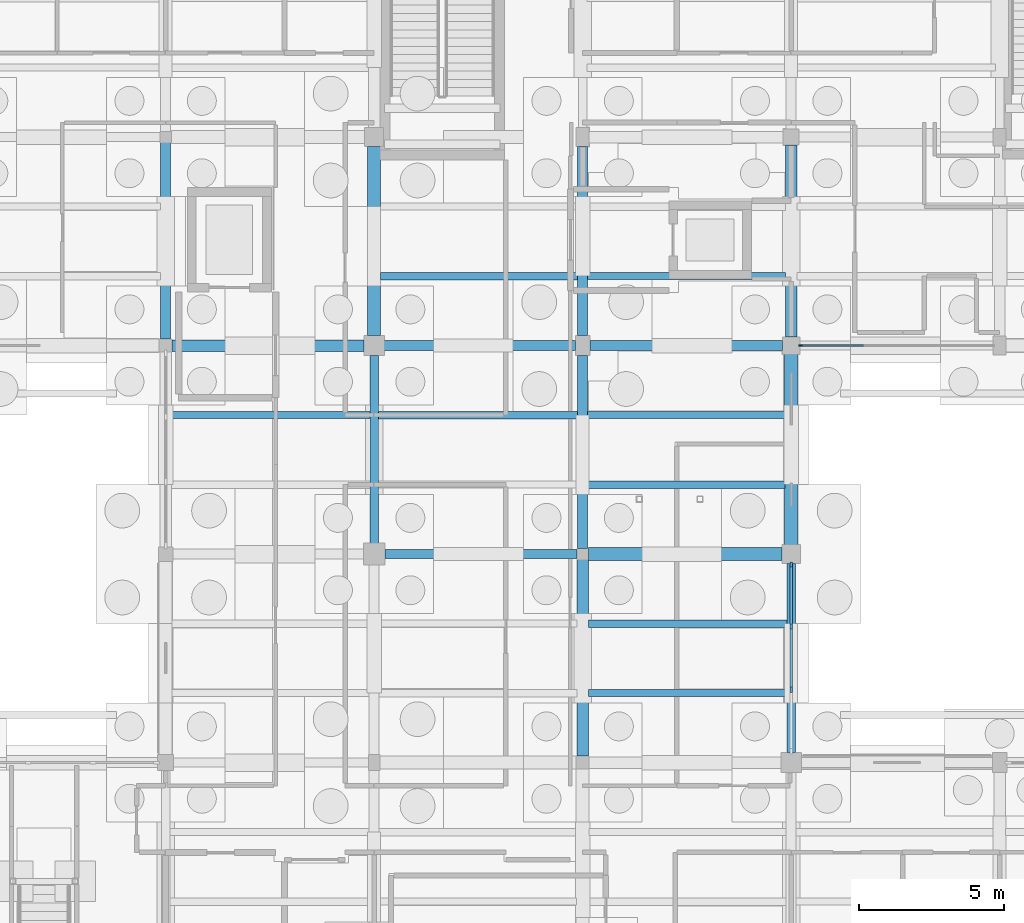
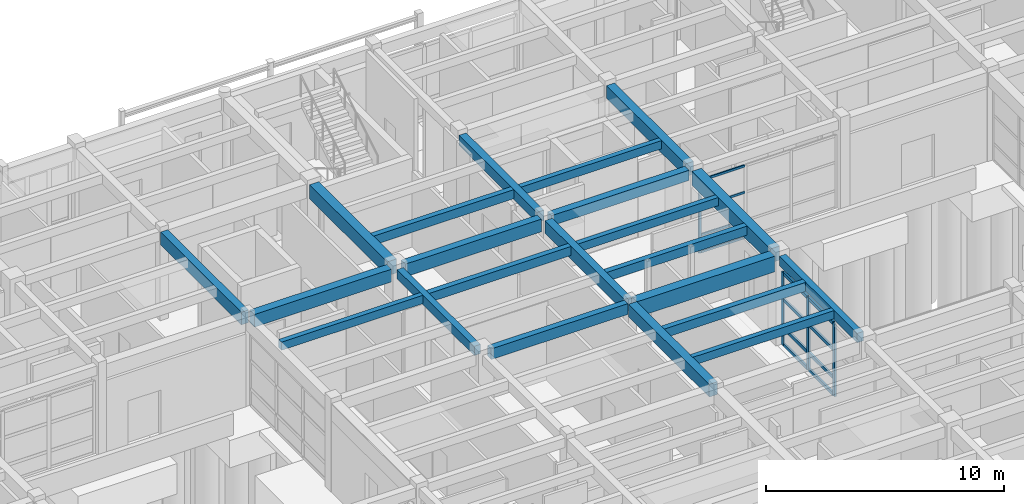
# One storey, part 64 of 143: 22 beams, 16 members, 2 elements without a shape of their own.
"""IFC4 building model written with IfcOpenShell, lengths in metres."""

from ifc_helpers import new_model, si_unit, direction, frame, origin, origin_2d, place, context, subcontext, project, spatial, rectangle, extrude, material, material_profile, profile_set, type_object, element, aggregate, save


model = new_model("IFC4")

# Units and contexts
model_context = context("Model", 3, precision=1e-05, world=origin(), true_north=direction((0.0, 1.0)))
body_context = subcontext(model_context, "Body", "Model", "MODEL_VIEW")
ifc_project = project(units=[si_unit("LENGTHUNIT", "METRE"), si_unit("AREAUNIT", "SQUARE_METRE"), si_unit("VOLUMEUNIT", "CUBIC_METRE"), si_unit("PLANEANGLEUNIT", "RADIAN"), si_unit("MASSUNIT", "GRAM", prefix="KILO")], contexts=[model_context])

# Site, building, storey
site_placement = place(None, origin())
site = spatial("IfcSite", under=ifc_project, at=site_placement, CompositionType="ELEMENT")
building_placement = place(site_placement, origin())
building = spatial("IfcBuilding", under=site, at=building_placement, Name="Steenspoor Specialist Clinic", CompositionType="ELEMENT")
storey_placement = place(building_placement, origin())
storey = spatial("IfcBuildingStorey", under=building, at=storey_placement, Name="L00", CompositionType="ELEMENT", Elevation=0.0)

# Beams
ifc_material_1 = material(Name="Concrete C35/45", Category="concrete")
ifc_material_profile_1 = material_profile(ifc_material_1, rectangle(XDim=0.300048828125, YDim=0.47998046875, at=origin_2d()), Name="RC-BM-300X480")
ifc_profile_set_1 = profile_set([ifc_material_profile_1], Name="Concrete C35/45")
beam_type_1 = type_object("IfcBeamType", Name="BM-RC-300X480", PredefinedType="BEAM", material=ifc_profile_set_1)
beam_1_placement = place(storey_placement, frame((81.199951171875, 87.1201171875, 4.31005859375), z_axis=(0.0, 1.0, 0.0), x_axis=(-1.0, 0.0, 0.0)))
element("IfcBeam", 1, at=beam_1_placement, inside=storey, type_object=beam_type_1, Name="BM-V4-L00-Y0366", PredefinedType="BEAM", context=body_context, shape_type="SweptSolid", body=[
    extrude(rectangle(XDim=0.300048828125, YDim=0.47998046875, at=origin_2d()), origin(), (0.0, 0.0, 1.0), 6.48486328125),
])
beam_2_placement = place(storey_placement, frame((95.60009765625, 79.89501953125, 4.31005859375), z_axis=(0.0, 1.0, 0.0), x_axis=(-1.0, 0.0, 0.0)))
element("IfcBeam", 2, at=beam_2_placement, inside=storey, type_object=beam_type_1, Name="BM-V4-L00-Y0377", PredefinedType="BEAM", context=body_context, shape_type="SweptSolid", body=[
    extrude(rectangle(XDim=0.300048828125, YDim=0.47998046875, at=origin_2d()), origin(), (0.0, 0.0, 1.0), 6.534912109375),
])
ifc_material_profile_2 = material_profile(ifc_material_1, rectangle(XDim=0.300048828125, YDim=0.550048828125, at=origin_2d()), Name="RC-BM-300X550")
ifc_profile_set_2 = profile_set([ifc_material_profile_2], Name="Concrete C35/45")
beam_type_2 = type_object("IfcBeamType", Name="BM-RC-300X550", PredefinedType="BEAM", material=ifc_profile_set_2)
beam_3_placement = place(storey_placement, frame((81.570068359375, 86.75, 4.27490234375), z_axis=(1.0, 0.0, 0.0), x_axis=(0.0, 1.0, 0.0)))
element("IfcBeam", 3, at=beam_3_placement, inside=storey, type_object=beam_type_2, Name="BM-V4-L00-X0314", PredefinedType="BEAM", context=body_context, shape_type="SweptSolid", body=[
    extrude(rectangle(XDim=0.300048828125, YDim=0.550048828125, at=origin_2d()), origin(), (0.0, 0.0, 1.0), 6.635009765625),
])
ifc_material_profile_3 = material_profile(ifc_material_1, rectangle(XDim=0.35009765625, YDim=0.52001953125, at=origin_2d()), Name="RC-BM-350X520")
ifc_profile_set_3 = profile_set([ifc_material_profile_3], Name="Concrete C35/45")
beam_type_3 = type_object("IfcBeamType", Name="BM-RC-350X520", PredefinedType="BEAM", material=ifc_profile_set_3)
beam_4_placement = place(storey_placement, frame((88.64501953125, 93.949951171875, 4.2900390625), z_axis=(1.0, 0.0, 0.0), x_axis=(0.0, 1.0, 0.0)))
element("IfcBeam", 4, at=beam_4_placement, inside=storey, type_object=beam_type_3, Name="BM-V4-L00-X0322", PredefinedType="BEAM", context=body_context, shape_type="SweptSolid", body=[
    extrude(rectangle(XDim=0.35009765625, YDim=0.52001953125, at=origin_2d()), origin(), (0.0, 0.0, 1.0), 6.659912109375),
])
beam_5_placement = place(storey_placement, frame((88.39990234375, 94.294921875, 4.2900390625), z_axis=(0.0, 1.0, 0.0), x_axis=(-1.0, 0.0, 0.0)))
element("IfcBeam", 5, at=beam_5_placement, inside=storey, type_object=beam_type_3, Name="BM-V4-L00-Y0373", PredefinedType="BEAM", context=body_context, shape_type="SweptSolid", body=[
    extrude(rectangle(XDim=0.35009765625, YDim=0.52001953125, at=origin_2d()), origin(), (0.0, 0.0, 1.0), 6.53515625),
])
ifc_material_profile_4 = material_profile(ifc_material_1, rectangle(XDim=0.35009765625, YDim=0.64990234375, at=origin_2d()), Name="RC-BM-350X650")
ifc_profile_set_4 = profile_set([ifc_material_profile_4], Name="Concrete C35/45")
beam_type_4 = type_object("IfcBeamType", Name="BM-RC-350X650", PredefinedType="BEAM", material=ifc_profile_set_4)
beam_6_placement = place(storey_placement, frame((81.544921875, 93.949951171875, 4.22509765625), z_axis=(1.0, 0.0, 0.0), x_axis=(0.0, 1.0, 0.0)))
element("IfcBeam", 6, at=beam_6_placement, inside=storey, type_object=beam_type_4, Name="BM-V4-L00-X0321", PredefinedType="BEAM", context=body_context, shape_type="SweptSolid", body=[
    extrude(rectangle(XDim=0.35009765625, YDim=0.64990234375, at=origin_2d()), origin(), (0.0, 0.0, 1.0), 6.610107421875),
])
beam_7_placement = place(storey_placement, frame((74.0, 94.169921875, 4.22509765625), z_axis=(0.0, 1.0, 0.0), x_axis=(-1.0, 0.0, 0.0)))
element("IfcBeam", 7, at=beam_7_placement, inside=storey, type_object=beam_type_4, Name="BM-V4-L00-Y0361", PredefinedType="BEAM", context=body_context, shape_type="SweptSolid", body=[
    extrude(rectangle(XDim=0.35009765625, YDim=0.64990234375, at=origin_2d()), origin(), (0.0, 0.0, 1.0), 6.78515625),
])
beam_8_placement = place(storey_placement, frame((88.39990234375, 86.945068359375, 4.22509765625), z_axis=(0.0, 1.0, 0.0), x_axis=(-1.0, 0.0, 0.0)))
element("IfcBeam", 8, at=beam_8_placement, inside=storey, type_object=beam_type_4, Name="BM-V4-L00-Y0372", PredefinedType="BEAM", context=body_context, shape_type="SweptSolid", body=[
    extrude(rectangle(XDim=0.35009765625, YDim=0.64990234375, at=origin_2d()), origin(), (0.0, 0.0, 1.0), 6.659912109375),
])
ifc_material_profile_5 = material_profile(ifc_material_1, rectangle(XDim=0.39990234375, YDim=0.64990234375, at=origin_2d()), Name="RC-BM-400X650")
ifc_profile_set_5 = profile_set([ifc_material_profile_5], Name="Concrete C35/45")
beam_type_5 = type_object("IfcBeamType", Name="BM-RC-400X650", PredefinedType="BEAM", material=ifc_profile_set_5)
beam_9_placement = place(storey_placement, frame((74.219970703125, 93.949951171875, 4.22509765625), z_axis=(1.0, 0.0, 0.0), x_axis=(0.0, 1.0, 0.0)))
element("IfcBeam", 9, at=beam_9_placement, inside=storey, type_object=beam_type_5, Name="BM-V4-L00-X0320", PredefinedType="BEAM", context=body_context, shape_type="SweptSolid", body=[
    extrude(rectangle(XDim=0.39990234375, YDim=0.64990234375, at=origin_2d()), origin(), (0.0, 0.0, 1.0), 6.635009765625),
])
beam_10_placement = place(storey_placement, frame((88.39990234375, 79.77001953125, 4.22509765625), z_axis=(0.0, 1.0, 0.0), x_axis=(-1.0, 0.0, 0.0)))
element("IfcBeam", 10, at=beam_10_placement, inside=storey, type_object=beam_type_5, Name="BM-V4-L00-Y0371", PredefinedType="BEAM", context=body_context, shape_type="SweptSolid", body=[
    extrude(rectangle(XDim=0.39990234375, YDim=0.64990234375, at=origin_2d()), origin(), (0.0, 0.0, 1.0), 6.784912109375),
])
beam_11_placement = place(storey_placement, frame((95.60009765625, 94.2451171875, 4.22509765625), z_axis=(0.0, 1.0, 0.0), x_axis=(-1.0, 0.0, 0.0)))
element("IfcBeam", 11, at=beam_11_placement, inside=storey, type_object=beam_type_5, Name="BM-V4-L00-Y0379", PredefinedType="BEAM", context=body_context, shape_type="SweptSolid", body=[
    extrude(rectangle(XDim=0.39990234375, YDim=0.64990234375, at=origin_2d()), origin(), (0.0, 0.0, 1.0), 6.634765625),
])
ifc_material_profile_6 = material_profile(ifc_material_1, rectangle(XDim=0.449951171875, YDim=0.719970703125, at=origin_2d()), Name="RC-BM-450X720")
ifc_profile_set_6 = profile_set([ifc_material_profile_6], Name="Concrete C35/45")
beam_type_6 = type_object("IfcBeamType", Name="BM-RC-450X720", PredefinedType="BEAM", material=ifc_profile_set_6)
beam_12_placement = place(storey_placement, frame((81.199951171875, 94.294921875, 4.18994140625), z_axis=(0.0, 1.0, 0.0), x_axis=(-1.0, 0.0, 0.0)))
element("IfcBeam", 12, at=beam_12_placement, inside=storey, type_object=beam_type_6, Name="BM-V4-L00-Y0367", PredefinedType="BEAM", context=body_context, shape_type="SweptSolid", body=[
    extrude(rectangle(XDim=0.449951171875, YDim=0.719970703125, at=origin_2d()), origin(), (0.0, 0.0, 1.0), 6.53515625),
])
beam_13_placement = place(storey_placement, frame((95.60009765625, 87.070068359375, 4.18994140625), z_axis=(0.0, 1.0, 0.0), x_axis=(-1.0, 0.0, 0.0)))
element("IfcBeam", 13, at=beam_13_placement, inside=storey, type_object=beam_type_6, Name="BM-V4-L00-Y0378", PredefinedType="BEAM", context=body_context, shape_type="SweptSolid", body=[
    extrude(rectangle(XDim=0.449951171875, YDim=0.719970703125, at=origin_2d()), origin(), (0.0, 0.0, 1.0), 6.5849609375),
])
ifc_material_profile_7 = material_profile(ifc_material_1, rectangle(XDim=0.449951171875, YDim=0.800048828125, at=origin_2d()), Name="RC-BM-450X800")
ifc_profile_set_7 = profile_set([ifc_material_profile_7], Name="Concrete C35/45")
beam_type_7 = type_object("IfcBeamType", Name="BM-RC-450X800", PredefinedType="BEAM", material=ifc_profile_set_7)
beam_14_placement = place(storey_placement, frame((88.594970703125, 86.75, 4.14990234375), z_axis=(1.0, 0.0, 0.0), x_axis=(0.0, 1.0, 0.0)))
element("IfcBeam", 14, at=beam_14_placement, inside=storey, type_object=beam_type_7, Name="BM-V4-L00-X0315", PredefinedType="BEAM", context=body_context, shape_type="SweptSolid", body=[
    extrude(rectangle(XDim=0.449951171875, YDim=0.800048828125, at=origin_2d()), origin(), (0.0, 0.0, 1.0), 6.68505859375),
])

# Curtain wall, member
ifc_material_2 = material(Name="Thermally broken aluminium and low-emissivity glass", Category="aluminium")
curtain_wall_type_1 = type_object("IfcCurtainWallType", Name="CW-TYP-650X355", PredefinedType="USERDEFINED", material=ifc_material_2)
curtain_wall_1_placement = place(storey_placement, origin())
curtain_wall_1 = element("IfcCurtainWall", 15, at=curtain_wall_1_placement, inside=storey, type_object=curtain_wall_type_1, Name="Unitised Curtain Wall CW-V4-L00-058", ObjectType="UNITISED GLAZING", PredefinedType="USERDEFINED")
ifc_material_3 = material(Name="Thermally broken aluminium 6063-T6", Category="aluminium")
ifc_material_profile_8 = material_profile(ifc_material_3, rectangle(XDim=0.06005859375, YDim=0.135009765625, at=origin_2d()), Name="CWM-60X135")
ifc_profile_set_8 = profile_set([ifc_material_profile_8], Name="Thermally broken aluminium 6063-T6")
member_type_1 = type_object("IfcMemberType", Name="CW-MULL-60X135", PredefinedType="MULLION", material=ifc_profile_set_8)
member_1_placement = place(storey_placement, frame((95.929931640625, 93.949951171875, 0.0), z_axis=(0.0, 0.0, 1.0), x_axis=(0.0, -1.0, 0.0)))
member_1 = element("IfcMember", 16, at=member_1_placement, type_object=member_type_1, Name="CW-10 mullion 4", PredefinedType="MULLION", context=body_context, shape_type="SweptSolid", body=[
    extrude(rectangle(XDim=0.06005859375, YDim=0.135009765625, at=origin_2d()), origin(), (0.0, 0.0, 1.0), 3.72998046875),
])

# Curtain wall, members
curtain_wall_type_2 = type_object("IfcCurtainWallType", Name="CW-TYP-540X355", PredefinedType="USERDEFINED", material=ifc_material_2)
curtain_wall_2_placement = place(storey_placement, origin())
curtain_wall_2 = element("IfcCurtainWall", 17, at=curtain_wall_2_placement, inside=storey, type_object=curtain_wall_type_2, Name="Unitised Curtain Wall CW-V4-L00-059", ObjectType="UNITISED GLAZING", PredefinedType="USERDEFINED")
ifc_material_profile_9 = material_profile(ifc_material_3, rectangle(XDim=0.090087890625, YDim=0.199951171875, at=origin_2d()), Name="CWM-90X200")
ifc_profile_set_9 = profile_set([ifc_material_profile_9], Name="Thermally broken aluminium 6063-T6")
member_type_2 = type_object("IfcMemberType", Name="CW-MULL-90X200", PredefinedType="MULLION", material=ifc_profile_set_9)
member_2_placement = place(storey_placement, frame((95.60009765625, 86.3798828125, 0.0), z_axis=(0.0, 0.0, 1.0), x_axis=(1.0, 0.0, 0.0)))
member_2 = element("IfcMember", 18, at=member_2_placement, type_object=member_type_2, Name="CW-11 mullion 1", PredefinedType="MULLION", context=body_context, shape_type="SweptSolid", body=[
    extrude(rectangle(XDim=0.090087890625, YDim=0.199951171875, at=origin_2d()), origin(), (0.0, 0.0, 1.0), 3.72998046875),
])
member_3_placement = place(storey_placement, frame((95.60009765625, 84.25, 0.0), z_axis=(0.0, 0.0, 1.0), x_axis=(1.0, 0.0, 0.0)))
member_3 = element("IfcMember", 19, at=member_3_placement, type_object=member_type_2, Name="CW-11 mullion 2", PredefinedType="MULLION", context=body_context, shape_type="SweptSolid", body=[
    extrude(rectangle(XDim=0.090087890625, YDim=0.199951171875, at=origin_2d()), origin(), (0.0, 0.0, 1.0), 3.72998046875),
])
member_4_placement = place(storey_placement, frame((95.60009765625, 82.074951171875, 0.0), z_axis=(0.0, 0.0, 1.0), x_axis=(1.0, 0.0, 0.0)))
member_4 = element("IfcMember", 20, at=member_4_placement, type_object=member_type_2, Name="CW-11 mullion 3", PredefinedType="MULLION", context=body_context, shape_type="SweptSolid", body=[
    extrude(rectangle(XDim=0.090087890625, YDim=0.199951171875, at=origin_2d()), origin(), (0.0, 0.0, 1.0), 3.72998046875),
])

# Member
ifc_material_profile_10 = material_profile(ifc_material_3, rectangle(XDim=0.06005859375, YDim=0.114990234375, at=origin_2d()), Name="CWT-60X115")
ifc_profile_set_10 = profile_set([ifc_material_profile_10], Name="Thermally broken aluminium 6063-T6")
member_type_3 = type_object("IfcMemberType", Name="CW-TRAN-60X115", PredefinedType="USERDEFINED", material=ifc_profile_set_10)
member_5_placement = place(storey_placement, frame((98.094970703125, 93.949951171875, 0.030029296875), z_axis=(-1.0, 0.0, 0.0), x_axis=(0.0, -1.0, 0.0)))
member_5 = element("IfcMember", 21, at=member_5_placement, type_object=member_type_3, Name="CW-10 transom 3.1", ObjectType="TRANSOM", PredefinedType="USERDEFINED", context=body_context, shape_type="SweptSolid", body=[
    extrude(rectangle(XDim=0.06005859375, YDim=0.114990234375, at=origin_2d()), origin(), (0.0, 0.0, 1.0), 2.135009765625),
])

member_6_placement = place(storey_placement, frame((98.094970703125, 93.949951171875, 0.89990234375), z_axis=(-1.0, 0.0, 0.0), x_axis=(0.0, -1.0, 0.0)))
member_6 = element("IfcMember", 22, at=member_6_placement, type_object=member_type_3, Name="CW-10 transom 3.2", ObjectType="TRANSOM", PredefinedType="USERDEFINED", context=body_context, shape_type="SweptSolid", body=[
    extrude(rectangle(XDim=0.06005859375, YDim=0.114990234375, at=origin_2d()), origin(), (0.0, 0.0, 1.0), 2.135009765625),
])

member_7_placement = place(storey_placement, frame((98.094970703125, 93.949951171875, 2.35009765625), z_axis=(-1.0, 0.0, 0.0), x_axis=(0.0, -1.0, 0.0)))
member_7 = element("IfcMember", 23, at=member_7_placement, type_object=member_type_3, Name="CW-10 transom 3.3", ObjectType="TRANSOM", PredefinedType="USERDEFINED", context=body_context, shape_type="SweptSolid", body=[
    extrude(rectangle(XDim=0.06005859375, YDim=0.114990234375, at=origin_2d()), origin(), (0.0, 0.0, 1.0), 2.135009765625),
])

member_8_placement = place(storey_placement, frame((98.094970703125, 93.949951171875, 3.699951171875), z_axis=(-1.0, 0.0, 0.0), x_axis=(0.0, -1.0, 0.0)))
member_8 = element("IfcMember", 24, at=member_8_placement, type_object=member_type_3, Name="CW-10 transom 3.4", ObjectType="TRANSOM", PredefinedType="USERDEFINED", context=body_context, shape_type="SweptSolid", body=[
    extrude(rectangle(XDim=0.06005859375, YDim=0.114990234375, at=origin_2d()), origin(), (0.0, 0.0, 1.0), 2.135009765625),
])

aggregate(curtain_wall_1, [member_1, member_5, member_6, member_7, member_8])

ifc_material_profile_11 = material_profile(ifc_material_3, rectangle(XDim=0.090087890625, YDim=0.175048828125, at=origin_2d()), Name="CWT-90X175")
ifc_profile_set_11 = profile_set([ifc_material_profile_11], Name="Thermally broken aluminium 6063-T6")
member_type_4 = type_object("IfcMemberType", Name="CW-TRAN-90X175", PredefinedType="USERDEFINED", material=ifc_profile_set_11)
member_9_placement = place(storey_placement, frame((95.60009765625, 86.3349609375, 0.044921875), z_axis=(0.0, -1.0, 0.0), x_axis=(1.0, 0.0, 0.0)))
member_9 = element("IfcMember", 25, at=member_9_placement, type_object=member_type_4, Name="CW-11 transom 1.1", ObjectType="TRANSOM", PredefinedType="USERDEFINED", context=body_context, shape_type="SweptSolid", body=[
    extrude(rectangle(XDim=0.090087890625, YDim=0.175048828125, at=origin_2d()), origin(), (0.0, 0.0, 1.0), 2.0400390625),
])

member_10_placement = place(storey_placement, frame((95.60009765625, 86.3349609375, 0.89990234375), z_axis=(0.0, -1.0, 0.0), x_axis=(1.0, 0.0, 0.0)))
member_10 = element("IfcMember", 26, at=member_10_placement, type_object=member_type_4, Name="CW-11 transom 1.2", ObjectType="TRANSOM", PredefinedType="USERDEFINED", context=body_context, shape_type="SweptSolid", body=[
    extrude(rectangle(XDim=0.090087890625, YDim=0.175048828125, at=origin_2d()), origin(), (0.0, 0.0, 1.0), 2.0400390625),
])

member_11_placement = place(storey_placement, frame((95.60009765625, 86.3349609375, 2.35009765625), z_axis=(0.0, -1.0, 0.0), x_axis=(1.0, 0.0, 0.0)))
member_11 = element("IfcMember", 27, at=member_11_placement, type_object=member_type_4, Name="CW-11 transom 1.3", ObjectType="TRANSOM", PredefinedType="USERDEFINED", context=body_context, shape_type="SweptSolid", body=[
    extrude(rectangle(XDim=0.090087890625, YDim=0.175048828125, at=origin_2d()), origin(), (0.0, 0.0, 1.0), 2.0400390625),
])

member_12_placement = place(storey_placement, frame((95.60009765625, 86.3349609375, 3.68505859375), z_axis=(0.0, -1.0, 0.0), x_axis=(1.0, 0.0, 0.0)))
member_12 = element("IfcMember", 28, at=member_12_placement, type_object=member_type_4, Name="CW-11 transom 1.4", ObjectType="TRANSOM", PredefinedType="USERDEFINED", context=body_context, shape_type="SweptSolid", body=[
    extrude(rectangle(XDim=0.090087890625, YDim=0.175048828125, at=origin_2d()), origin(), (0.0, 0.0, 1.0), 2.0400390625),
])

member_13_placement = place(storey_placement, frame((95.60009765625, 84.205078125, 0.044921875), z_axis=(0.0, -1.0, 0.0), x_axis=(1.0, 0.0, 0.0)))
member_13 = element("IfcMember", 29, at=member_13_placement, type_object=member_type_4, Name="CW-11 transom 2.1", ObjectType="TRANSOM", PredefinedType="USERDEFINED", context=body_context, shape_type="SweptSolid", body=[
    extrude(rectangle(XDim=0.090087890625, YDim=0.175048828125, at=origin_2d()), origin(), (0.0, 0.0, 1.0), 2.0849609375),
])

member_14_placement = place(storey_placement, frame((95.60009765625, 84.205078125, 0.89990234375), z_axis=(0.0, -1.0, 0.0), x_axis=(1.0, 0.0, 0.0)))
member_14 = element("IfcMember", 30, at=member_14_placement, type_object=member_type_4, Name="CW-11 transom 2.2", ObjectType="TRANSOM", PredefinedType="USERDEFINED", context=body_context, shape_type="SweptSolid", body=[
    extrude(rectangle(XDim=0.090087890625, YDim=0.175048828125, at=origin_2d()), origin(), (0.0, 0.0, 1.0), 2.0849609375),
])

member_15_placement = place(storey_placement, frame((95.60009765625, 84.205078125, 2.35009765625), z_axis=(0.0, -1.0, 0.0), x_axis=(1.0, 0.0, 0.0)))
member_15 = element("IfcMember", 31, at=member_15_placement, type_object=member_type_4, Name="CW-11 transom 2.3", ObjectType="TRANSOM", PredefinedType="USERDEFINED", context=body_context, shape_type="SweptSolid", body=[
    extrude(rectangle(XDim=0.090087890625, YDim=0.175048828125, at=origin_2d()), origin(), (0.0, 0.0, 1.0), 2.0849609375),
])

member_16_placement = place(storey_placement, frame((95.60009765625, 84.205078125, 3.68505859375), z_axis=(0.0, -1.0, 0.0), x_axis=(1.0, 0.0, 0.0)))
member_16 = element("IfcMember", 32, at=member_16_placement, type_object=member_type_4, Name="CW-11 transom 2.4", ObjectType="TRANSOM", PredefinedType="USERDEFINED", context=body_context, shape_type="SweptSolid", body=[
    extrude(rectangle(XDim=0.090087890625, YDim=0.175048828125, at=origin_2d()), origin(), (0.0, 0.0, 1.0), 2.0849609375),
])

aggregate(curtain_wall_2, [member_2, member_3, member_4, member_9, member_10, member_11, member_12, member_13, member_14, member_15, member_16])

# Beams
ifc_material_profile_12 = material_profile(ifc_material_1, rectangle(XDim=0.239990234375, YDim=0.419921875, at=origin_2d()), Name="RC-JT-240X420")
ifc_profile_set_12 = profile_set([ifc_material_profile_12], Name="Concrete C35/45")
beam_type_8 = type_object("IfcBeamType", Name="JT-RC-240X420", PredefinedType="JOIST", material=ifc_profile_set_12)
beam_15_placement = place(storey_placement, frame((74.195068359375, 91.550048828125, 4.340087890625), z_axis=(1.0, 0.0, 0.0), x_axis=(0.0, 1.0, 0.0)))
element("IfcBeam", 33, at=beam_15_placement, inside=storey, type_object=beam_type_8, Name="JT-V4-L00-0426", PredefinedType="JOIST", context=body_context, shape_type="SweptSolid", body=[
    extrude(rectangle(XDim=0.239990234375, YDim=0.419921875, at=origin_2d()), origin(), (0.0, 0.0, 1.0), 6.85986328125),
])
beam_16_placement = place(storey_placement, frame((88.594970703125, 81.949951171875, 4.340087890625), z_axis=(1.0, 0.0, 0.0), x_axis=(0.0, 1.0, 0.0)))
element("IfcBeam", 34, at=beam_16_placement, inside=storey, type_object=beam_type_8, Name="JT-V4-L00-0441", PredefinedType="JOIST", context=body_context, shape_type="SweptSolid", body=[
    extrude(rectangle(XDim=0.239990234375, YDim=0.419921875, at=origin_2d()), origin(), (0.0, 0.0, 1.0), 6.860107421875),
])
beam_17_placement = place(storey_placement, frame((88.570068359375, 91.550048828125, 4.340087890625), z_axis=(1.0, 0.0, 0.0), x_axis=(0.0, 1.0, 0.0)))
element("IfcBeam", 35, at=beam_17_placement, inside=storey, type_object=beam_type_8, Name="JT-V4-L00-0444", PredefinedType="JOIST", context=body_context, shape_type="SweptSolid", body=[
    extrude(rectangle(XDim=0.239990234375, YDim=0.419921875, at=origin_2d()), origin(), (0.0, 0.0, 1.0), 6.809814453125),
])
beam_18_placement = place(storey_placement, frame((88.570068359375, 96.35009765625, 4.340087890625), z_axis=(1.0, 0.0, 0.0), x_axis=(0.0, 1.0, 0.0)))
element("IfcBeam", 36, at=beam_18_placement, inside=storey, type_object=beam_type_8, Name="JT-V4-L00-0445", PredefinedType="JOIST", context=body_context, shape_type="SweptSolid", body=[
    extrude(rectangle(XDim=0.239990234375, YDim=0.419921875, at=origin_2d()), origin(), (0.0, 0.0, 1.0), 6.8349609375),
])
ifc_material_profile_13 = material_profile(ifc_material_1, rectangle(XDim=0.260009765625, YDim=0.4599609375, at=origin_2d()), Name="RC-JT-260X460")
ifc_profile_set_13 = profile_set([ifc_material_profile_13], Name="Concrete C35/45")
beam_type_9 = type_object("IfcBeamType", Name="JT-RC-260X460", PredefinedType="JOIST", material=ifc_profile_set_13)
beam_19_placement = place(storey_placement, frame((81.344970703125, 91.550048828125, 4.320068359375), z_axis=(1.0, 0.0, 0.0), x_axis=(0.0, 1.0, 0.0)))
element("IfcBeam", 37, at=beam_19_placement, inside=storey, type_object=beam_type_9, Name="JT-V4-L00-0434", PredefinedType="JOIST", context=body_context, shape_type="SweptSolid", body=[
    extrude(rectangle(XDim=0.260009765625, YDim=0.4599609375, at=origin_2d()), origin(), (0.0, 0.0, 1.0), 6.885009765625),
])
beam_20_placement = place(storey_placement, frame((81.419921875, 96.35009765625, 4.320068359375), z_axis=(1.0, 0.0, 0.0), x_axis=(0.0, 1.0, 0.0)))
element("IfcBeam", 38, at=beam_20_placement, inside=storey, type_object=beam_type_9, Name="JT-V4-L00-0435", PredefinedType="JOIST", context=body_context, shape_type="SweptSolid", body=[
    extrude(rectangle(XDim=0.260009765625, YDim=0.4599609375, at=origin_2d()), origin(), (0.0, 0.0, 1.0), 6.81005859375),
])
beam_21_placement = place(storey_placement, frame((88.594970703125, 84.35009765625, 4.320068359375), z_axis=(1.0, 0.0, 0.0), x_axis=(0.0, 1.0, 0.0)))
element("IfcBeam", 39, at=beam_21_placement, inside=storey, type_object=beam_type_9, Name="JT-V4-L00-0442", PredefinedType="JOIST", context=body_context, shape_type="SweptSolid", body=[
    extrude(rectangle(XDim=0.260009765625, YDim=0.4599609375, at=origin_2d()), origin(), (0.0, 0.0, 1.0), 6.860107421875),
])
beam_22_placement = place(storey_placement, frame((88.570068359375, 89.14990234375, 4.320068359375), z_axis=(1.0, 0.0, 0.0), x_axis=(0.0, 1.0, 0.0)))
element("IfcBeam", 40, at=beam_22_placement, inside=storey, type_object=beam_type_9, Name="JT-V4-L00-0443", PredefinedType="JOIST", context=body_context, shape_type="SweptSolid", body=[
    extrude(rectangle(XDim=0.260009765625, YDim=0.4599609375, at=origin_2d()), origin(), (0.0, 0.0, 1.0), 6.809814453125),
])

save(model, "model.ifc")
